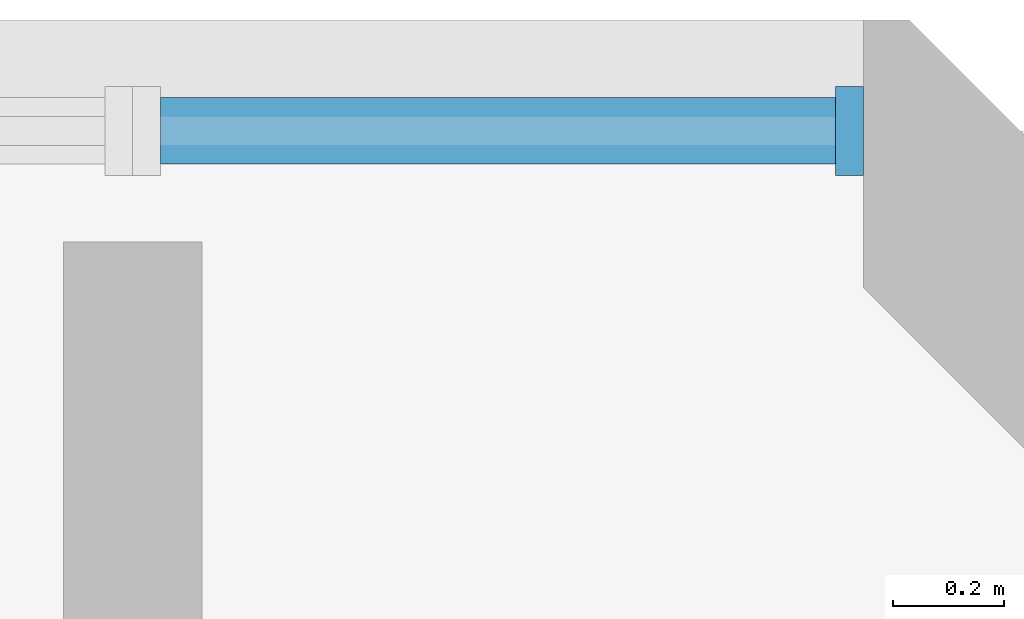
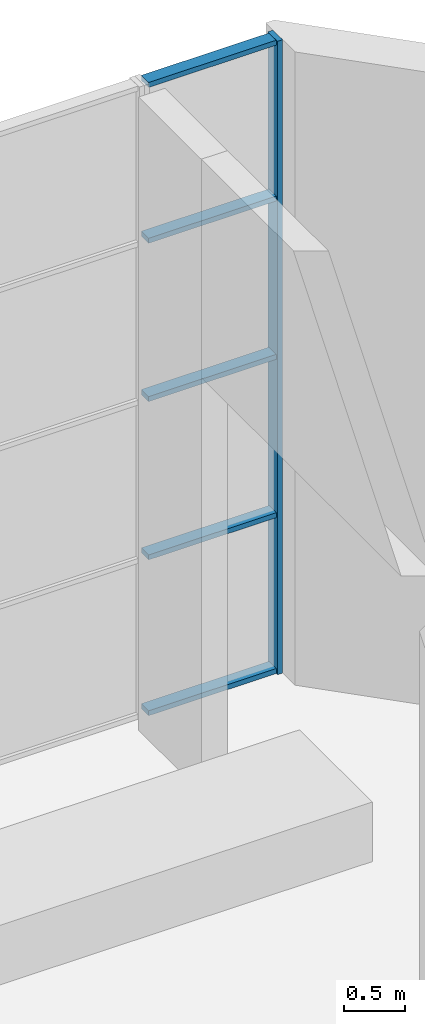
# One storey, part 3 of 13: 6 members, 1 element without a shape of its own.
"""IFC4 building model written with IfcOpenShell, lengths in metres."""

from ifc_helpers import new_model, si_unit, direction, frame, origin, origin_2d, place, context, subcontext, project, spatial, rectangle, extrude, material, layer, layer_set, material_profile, profile_set, type_object, element, aggregate, save


model = new_model("IFC4")

# Units and contexts
model_context = context("Model", 3, precision=1e-05, world=origin(), true_north=direction((0.0, 1.0)))
body_context = subcontext(model_context, "Body", "Model", "MODEL_VIEW")
ifc_project = project(units=[si_unit("LENGTHUNIT", "METRE"), si_unit("AREAUNIT", "SQUARE_METRE"), si_unit("VOLUMEUNIT", "CUBIC_METRE"), si_unit("PLANEANGLEUNIT", "RADIAN"), si_unit("MASSUNIT", "GRAM", prefix="KILO")], contexts=[model_context])

# Site, building, storey
site_placement = place(None, origin())
site = spatial("IfcSite", under=ifc_project, at=site_placement, CompositionType="ELEMENT")
building_placement = place(site_placement, origin())
building = spatial("IfcBuilding", under=site, at=building_placement, Name="Poui Terraces", CompositionType="ELEMENT")
storey_placement = place(building_placement, frame((0.0, 0.0, 214.800048828125)))
storey = spatial("IfcBuildingStorey", under=building, at=storey_placement, Name="L60", CompositionType="ELEMENT", Elevation=214.800048828125)

# Curtain wall, members
ifc_material_1 = material(Name="Clear glass", Category="glass")
ifc_layer = layer(ifc_material_1, 0.159912109375)
ifc_layer_set = layer_set([ifc_layer], Name="Clear glass")
curtain_wall_type = type_object("IfcCurtainWallType", Name="CURTAIN WALL CW-D SKY GARDEN GLAZING", PredefinedType="NOTDEFINED", material=ifc_layer_set)
curtain_wall_placement = place(storey_placement, origin())
curtain_wall = element("IfcCurtainWall", 1, at=curtain_wall_placement, inside=storey, type_object=curtain_wall_type, Name="CW-D SKY GARDEN GLAZING", PredefinedType="NOTDEFINED")
ifc_material_2 = material(Name="Aluminium frame", Category="aluminium")
ifc_material_profile_1 = material_profile(ifc_material_2, rectangle(XDim=0.159912109375, YDim=0.050048828125, at=origin_2d()), Name="CW-D MULLION 50X160")
ifc_profile_set_1 = profile_set([ifc_material_profile_1], Name="Aluminium frame")
member_type_1 = type_object("IfcMemberType", Name="CW-D MULLION 50X160", PredefinedType="MULLION", material=ifc_profile_set_1)
member_1_placement = place(storey_placement, frame((79.292236328125, 41.199951171875, 0.0), z_axis=(0.0, 0.0, 1.0), x_axis=(0.0, -1.0, 0.0)))
member_1 = element("IfcMember", 2, at=member_1_placement, type_object=member_type_1, Name="CW-D mullion 1", PredefinedType="MULLION", context=body_context, shape_type="SweptSolid", body=[
    extrude(rectangle(XDim=0.159912109375, YDim=0.050048828125, at=origin_2d()), origin(), (0.0, 0.0, 1.0), 6.3798828125),
])
ifc_material_profile_2 = material_profile(ifc_material_2, rectangle(XDim=0.1201171875, YDim=0.050048828125, at=origin_2d()), Name="CW-D TRANSOM 50X120")
ifc_profile_set_2 = profile_set([ifc_material_profile_2], Name="Aluminium frame")
member_type_2 = type_object("IfcMemberType", Name="CW-D TRANSOM 50X120", PredefinedType="USERDEFINED", material=ifc_profile_set_2)
member_2_placement = place(storey_placement, frame((79.26708984375, 41.199951171875, 0.02490234375), z_axis=(-1.0, 0.0, 0.0), x_axis=(0.0, -1.0, 0.0)))
member_2 = element("IfcMember", 3, at=member_2_placement, type_object=member_type_2, Name="CW-D transom 1.1", ObjectType="TRANSOM", PredefinedType="USERDEFINED", context=body_context, shape_type="SweptSolid", body=[
    extrude(rectangle(XDim=0.1201171875, YDim=0.050048828125, at=origin_2d()), origin(), (0.0, 0.0, 1.0), 1.217041015625),
])
member_3_placement = place(storey_placement, frame((79.26708984375, 41.199951171875, 1.594970703125), z_axis=(-1.0, 0.0, 0.0), x_axis=(0.0, -1.0, 0.0)))
member_3 = element("IfcMember", 4, at=member_3_placement, type_object=member_type_2, Name="CW-D transom 1.2", ObjectType="TRANSOM", PredefinedType="USERDEFINED", context=body_context, shape_type="SweptSolid", body=[
    extrude(rectangle(XDim=0.1201171875, YDim=0.050048828125, at=origin_2d()), origin(), (0.0, 0.0, 1.0), 1.217041015625),
])
member_4_placement = place(storey_placement, frame((79.26708984375, 41.199951171875, 3.18994140625), z_axis=(-1.0, 0.0, 0.0), x_axis=(0.0, -1.0, 0.0)))
member_4 = element("IfcMember", 5, at=member_4_placement, type_object=member_type_2, Name="CW-D transom 1.3", ObjectType="TRANSOM", PredefinedType="USERDEFINED", context=body_context, shape_type="SweptSolid", body=[
    extrude(rectangle(XDim=0.1201171875, YDim=0.050048828125, at=origin_2d()), origin(), (0.0, 0.0, 1.0), 1.217041015625),
])
member_5_placement = place(storey_placement, frame((79.26708984375, 41.199951171875, 4.784912109375), z_axis=(-1.0, 0.0, 0.0), x_axis=(0.0, -1.0, 0.0)))
member_5 = element("IfcMember", 6, at=member_5_placement, type_object=member_type_2, Name="CW-D transom 1.4", ObjectType="TRANSOM", PredefinedType="USERDEFINED", context=body_context, shape_type="SweptSolid", body=[
    extrude(rectangle(XDim=0.1201171875, YDim=0.050048828125, at=origin_2d()), origin(), (0.0, 0.0, 1.0), 1.217041015625),
])
member_6_placement = place(storey_placement, frame((79.26708984375, 41.199951171875, 6.35498046875), z_axis=(-1.0, 0.0, 0.0), x_axis=(0.0, -1.0, 0.0)))
member_6 = element("IfcMember", 7, at=member_6_placement, type_object=member_type_2, Name="CW-D transom 1.5", ObjectType="TRANSOM", PredefinedType="USERDEFINED", context=body_context, shape_type="SweptSolid", body=[
    extrude(rectangle(XDim=0.1201171875, YDim=0.050048828125, at=origin_2d()), origin(), (0.0, 0.0, 1.0), 1.217041015625),
])
aggregate(curtain_wall, [member_1, member_2, member_3, member_4, member_5, member_6])

save(model, "model.ifc")
